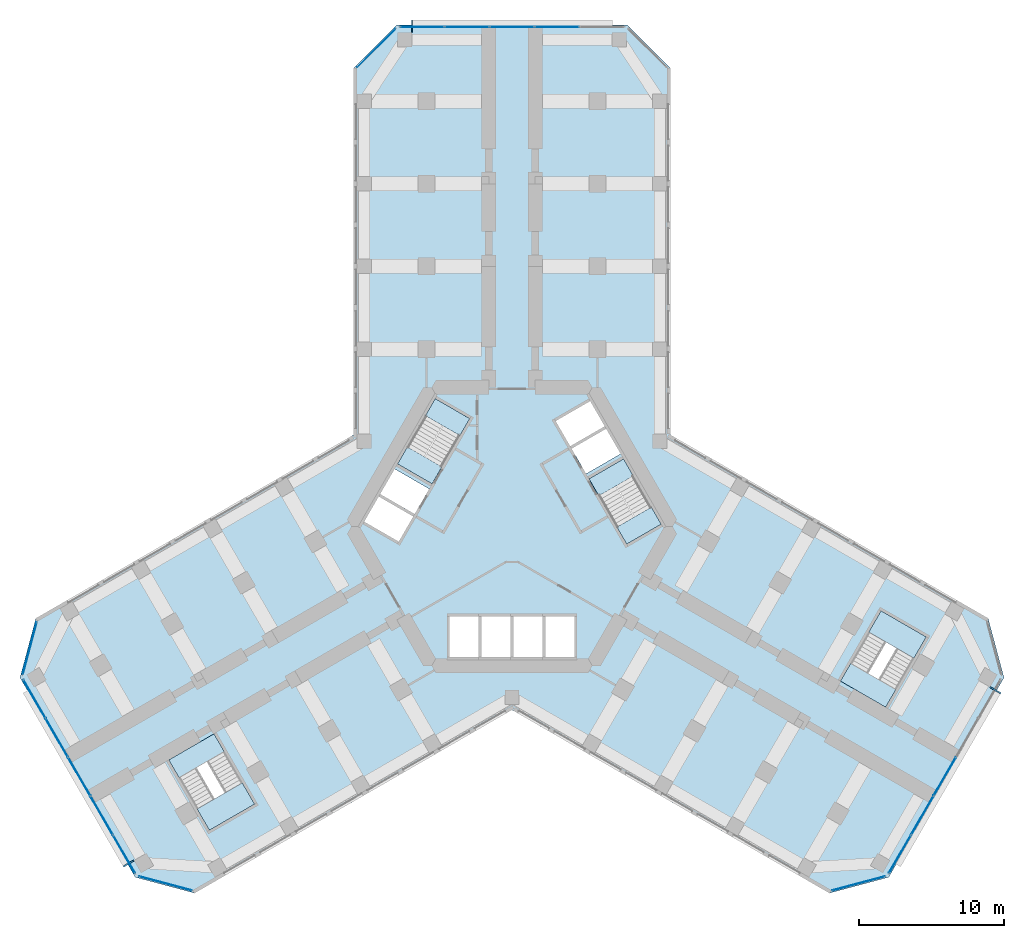
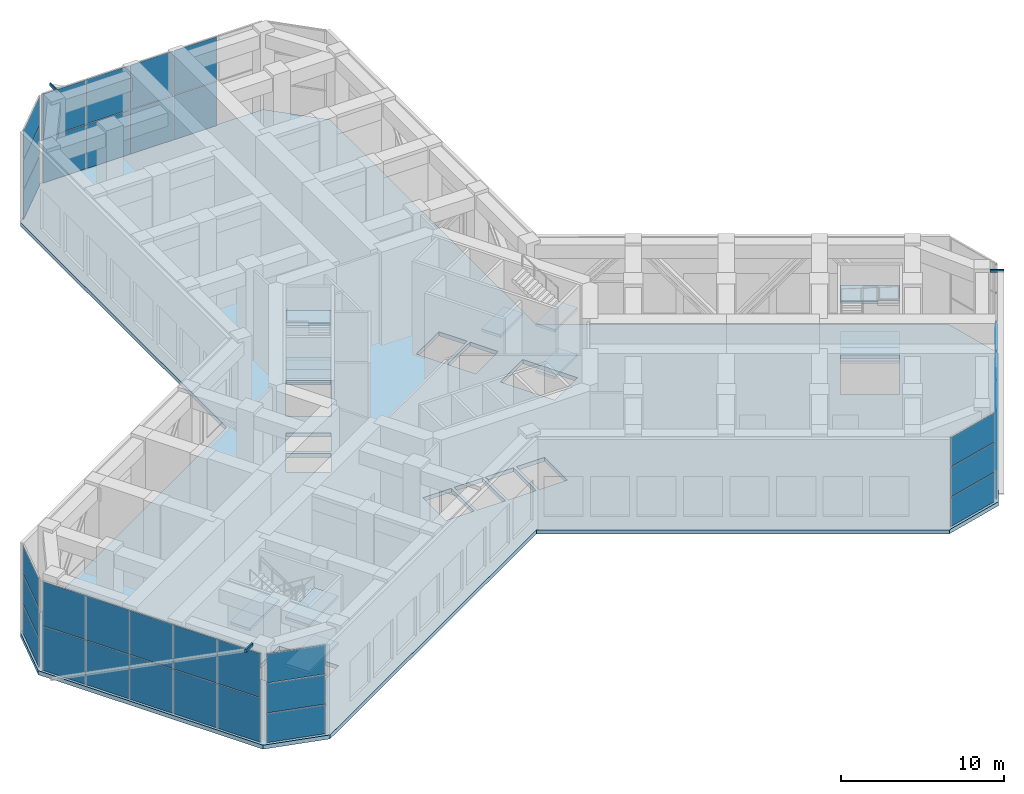
# One storey, part 9 of 17: 36 plates, 13 slabs, 3 members, 11 elements without a shape of their own.
"""IFC4 building model written with IfcOpenShell, lengths in metres."""

import ifcopenshell
import ifcopenshell.guid

model = None  # the IFC model being written
_history = None  # IfcOwnerHistory: only IFC2X3 demands one
_inside = {}  # id of a spatial element -> (the spatial element, [elements in it])
_under = {}  # id of a project, library or spatial element -> (it, [spatial elements below it])
_declared = {}  # id of a project -> (the project, [libraries it declares])
_typed = {}  # id of a type object -> (the type object, [elements of that type])
_made_of = {}  # id of a material, layer set ... -> (it, [elements and type objects made of it])


def new_model(schema):
    """Start an empty IFC model of exactly this schema.

    Asked for "IFC4X3", IfcOpenShell would pick the latest addendum, in which some entities
    have other attributes; the version numbers below select the first issue.
    IFC2X3 requires an IfcOwnerHistory on every rooted entity: one is made here for all.
    """
    global model, _history
    if schema == "IFC4X3":
        model = ifcopenshell.file(schema_version=(4, 3, 0, 0))
    else:
        model = ifcopenshell.file(schema=schema)
    _inside.clear()
    _under.clear()
    _declared.clear()
    _typed.clear()
    _made_of.clear()
    _history = None
    if model.schema == "IFC2X3":
        org = make("IfcOrganization", Name="unknown")
        user = make(
            "IfcPersonAndOrganization",
            ThePerson=make("IfcPerson", FamilyName="unknown"),
            TheOrganization=org,
        )
        app = make(
            "IfcApplication",
            ApplicationDeveloper=org,
            Version="unknown",
            ApplicationFullName="unknown",
            ApplicationIdentifier="unknown",
        )
        _history = make(
            "IfcOwnerHistory",
            OwningUser=user,
            OwningApplication=app,
            ChangeAction="ADDED",
            CreationDate=0,
        )
    return model


def make(cls, **values):
    """One entity of the class cls with the attributes given. An attribute that is None is left unset."""
    return model.create_entity(
        cls, **{name: value for name, value in values.items() if value is not None}
    )


def rooted(cls, **values):
    """An entity with a GlobalId (a new one), such as an element, a storey or a relation."""
    return make(cls, GlobalId=ifcopenshell.guid.new(), OwnerHistory=_history, **values)


def si_unit(unit_type, name, prefix=None):
    """IfcSIUnit, for example si_unit("LENGTHUNIT", "METRE", prefix="MILLI")."""
    return make("IfcSIUnit", UnitType=unit_type, Prefix=prefix, Name=name)


def assignment(units):
    """IfcUnitAssignment: the units of a project."""
    return None if units is None else make("IfcUnitAssignment", Units=units)


def point(xyz):
    """IfcCartesianPoint."""
    return None if xyz is None else make("IfcCartesianPoint", Coordinates=xyz)


def direction(xyz):
    """IfcDirection."""
    return None if xyz is None else make("IfcDirection", DirectionRatios=xyz)


def frame(location, z_axis=None, x_axis=None):
    """IfcAxis2Placement3D, a coordinate frame: its origin and axes. An axis left out is left unset."""
    return make(
        "IfcAxis2Placement3D",
        Location=point(location),
        Axis=direction(z_axis),
        RefDirection=direction(x_axis),
    )


def frame_2d(location, x_axis=None):
    """IfcAxis2Placement2D, a coordinate frame in the plane: its origin and x axis."""
    return make(
        "IfcAxis2Placement2D", Location=point(location), RefDirection=direction(x_axis)
    )


def origin():
    """The frame at (0, 0, 0) with its axes left unset."""
    return frame((0.0, 0.0, 0.0))


def origin_2d():
    """The frame at (0, 0) in the plane with its x axis left unset."""
    return frame_2d((0.0, 0.0))


def place(relative_to, where):
    """IfcLocalPlacement: puts the frame where relative to a parent placement (None: the world)."""
    return make(
        "IfcLocalPlacement", PlacementRelTo=relative_to, RelativePlacement=where
    )


def context(
    kind, dimensions, precision=None, world=None, true_north=None, identifier=None
):
    """IfcGeometricRepresentationContext, for example the 3D "Model" context."""
    return make(
        "IfcGeometricRepresentationContext",
        ContextIdentifier=identifier,
        ContextType=kind,
        CoordinateSpaceDimension=dimensions,
        Precision=precision,
        WorldCoordinateSystem=world,
        TrueNorth=true_north,
    )


def subcontext(parent, identifier, kind, view, scale=None):
    """IfcGeometricRepresentationSubContext, for example "Body" below "Model"."""
    return make(
        "IfcGeometricRepresentationSubContext",
        ContextIdentifier=identifier,
        ContextType=kind,
        ParentContext=parent,
        TargetScale=scale,
        TargetView=view,
    )


def project(units=None, contexts=None):
    """IfcProject with its units and contexts."""
    return rooted(
        "IfcProject",
        Name="project",
        RepresentationContexts=contexts,
        UnitsInContext=assignment(units),
    )


def spatial(cls, under=None, at=None, **own):
    """A site, building, storey or space (cls), placed at a placement, below another one or the project."""
    s = rooted(cls, ObjectPlacement=at, **own)
    if under is not None:
        _under.setdefault(under.id(), (under, []))[1].append(s)
    return s


def polyline(points):
    """IfcPolyline through the points."""
    return make("IfcPolyline", Points=[point(p) for p in points])


def profile(cls, at=None, kind="AREA", **sizes):
    """A parametric profile (cls). Its sizes go by their IFC names, for example OverallWidth=200.0."""
    return make(cls, ProfileType=kind, Position=at, **sizes)


def rectangle(**sizes):
    """IfcRectangleProfileDef."""
    return profile("IfcRectangleProfileDef", **sizes)


def hollow_rectangle(**sizes):
    """IfcRectangleHollowProfileDef."""
    return profile("IfcRectangleHollowProfileDef", **sizes)


def outline(outer, holes=None, kind="AREA"):
    """IfcArbitraryClosedProfileDef: a profile drawn as a closed curve; with holes, ...WithVoids."""
    if holes is None:
        return make("IfcArbitraryClosedProfileDef", ProfileType=kind, OuterCurve=outer)
    return make(
        "IfcArbitraryProfileDefWithVoids",
        ProfileType=kind,
        OuterCurve=outer,
        InnerCurves=holes,
    )


def extrude(swept, where, along, depth):
    """IfcExtrudedAreaSolid: the profile swept, set in the frame where, extruded along a direction by depth."""
    return make(
        "IfcExtrudedAreaSolid",
        SweptArea=swept,
        Position=where,
        ExtrudedDirection=direction(along),
        Depth=depth,
    )


def shape(context_of_items, identifier, shape_type, items):
    """IfcShapeRepresentation: the items that make up one representation, for example the "Body"."""
    return make(
        "IfcShapeRepresentation",
        ContextOfItems=context_of_items,
        RepresentationIdentifier=identifier,
        RepresentationType=shape_type,
        Items=items,
    )


def material(Name=None, Category=None):
    """IfcMaterial."""
    return make("IfcMaterial", Name=Name, Category=Category)


def layer(
    of_material, thickness, ventilated=None, Name=None, Category=None, Priority=None
):
    """IfcMaterialLayer: one layer of a wall or slab, of a material (None: an air gap)."""
    return make(
        "IfcMaterialLayer",
        Material=of_material,
        LayerThickness=thickness,
        IsVentilated=ventilated,
        Name=Name,
        Category=Category,
        Priority=Priority,
    )


def layer_set(layers, Name=None):
    """IfcMaterialLayerSet."""
    return make("IfcMaterialLayerSet", MaterialLayers=layers, LayerSetName=Name)


def material_profile(
    of_material, cross_section, Name=None, Category=None, Priority=None
):
    """IfcMaterialProfile: a cross section and its material."""
    return make(
        "IfcMaterialProfile",
        Name=Name,
        Material=of_material,
        Profile=cross_section,
        Priority=Priority,
        Category=Category,
    )


def profile_set(profiles, Name=None, composite=None):
    """IfcMaterialProfileSet."""
    return make(
        "IfcMaterialProfileSet",
        Name=Name,
        MaterialProfiles=profiles,
        CompositeProfile=composite,
    )


def made_of(thing, what):
    """Note that an element or type object is made of a material, layer set ...; save() writes the relation."""
    if what is not None:
        _made_of.setdefault(what.id(), (what, []))[1].append(thing)
    return thing


def type_object(cls, material=None, **own):
    """A type object (cls), such as IfcWallType, which elements share."""
    return made_of(rooted(cls, **own), material)


def element(
    cls,
    number,
    at=None,
    inside=None,
    cuts=None,
    type_object=None,
    material=None,
    context=None,
    identifier="Body",
    shape_type=None,
    held_by="IfcProductDefinitionShape",
    body=None,
    shapes=None,
    **own,
):
    """One element of the class cls, such as IfcWall. Its Tag is "e" and its number.

    at: its placement. inside: the storey or other place that contains it. cuts: it is an
    opening in that element (IfcRelVoidsElement). A single representation is given by context,
    identifier, shape_type and body (its items); several are given by shapes. held_by: the class
    of the entity that holds the representations. save() writes the other relations.
    """
    e = rooted(cls, Tag="e%d" % number, ObjectPlacement=at, **own)
    if body is not None:
        shapes = [shape(context, identifier, shape_type, body)]
    if shapes is not None:
        e.Representation = make(held_by, Representations=shapes)
    if inside is not None:
        _inside.setdefault(inside.id(), (inside, []))[1].append(e)
    if cuts is not None:
        rooted(
            "IfcRelVoidsElement", RelatingBuildingElement=cuts, RelatedOpeningElement=e
        )
    if type_object is not None:
        _typed.setdefault(type_object.id(), (type_object, []))[1].append(e)
    return made_of(e, material)


def aggregate(whole, parts):
    """IfcRelAggregates: a whole, such as a stair, and the parts it consists of."""
    return rooted("IfcRelAggregates", RelatingObject=whole, RelatedObjects=parts)


def save(model, path):
    """Write the relations noted so far, then the file.

    IfcRelAggregates (storeys below a building ...), IfcRelContainedInSpatialStructure (elements
    in a storey), IfcRelDefinesByType, IfcRelAssociatesMaterial and IfcRelDeclares: one each for
    every whole, place, type object, material and project.
    """
    for whole, parts in _under.values():
        aggregate(whole, parts)
    for where, things in _inside.values():
        rooted(
            "IfcRelContainedInSpatialStructure",
            RelatedElements=things,
            RelatingStructure=where,
        )
    for kind, things in _typed.values():
        rooted("IfcRelDefinesByType", RelatedObjects=things, RelatingType=kind)
    for what, things in _made_of.values():
        rooted("IfcRelAssociatesMaterial", RelatedObjects=things, RelatingMaterial=what)
    for by, libraries in _declared.values():
        rooted("IfcRelDeclares", RelatingContext=by, RelatedDefinitions=libraries)
    model.write(path)


model = new_model("IFC4")

# Units and contexts
model_context = context("Model", 3, precision=1e-05, world=origin(), true_north=direction((0.0, 1.0)))
body_context = subcontext(model_context, "Body", "Model", "MODEL_VIEW")
ifc_project = project(units=[si_unit("LENGTHUNIT", "METRE"), si_unit("AREAUNIT", "SQUARE_METRE"), si_unit("VOLUMEUNIT", "CUBIC_METRE"), si_unit("PLANEANGLEUNIT", "RADIAN"), si_unit("MASSUNIT", "GRAM", prefix="KILO")], contexts=[model_context])

# Site, building, storey
site_placement = place(None, origin())
site = spatial("IfcSite", under=ifc_project, at=site_placement, CompositionType="ELEMENT")
building_placement = place(site_placement, origin())
building = spatial("IfcBuilding", under=site, at=building_placement, Name="Kosmar Iwan School Tower", CompositionType="ELEMENT")
storey_placement = place(building_placement, frame((0.0, 0.0, 113.199951171875)))
storey = spatial("IfcBuildingStorey", under=building, at=storey_placement, Name="L28", CompositionType="ELEMENT", Elevation=113.199951171875)

# Members
ifc_material_1 = material(Name="Steel S355", Category="steel")
ifc_material_profile = material_profile(ifc_material_1, hollow_rectangle(XDim=0.10009765625, YDim=0.199951171875, WallThickness=0.008056640625, at=origin_2d()), Name="RHS 200x100x8")
ifc_profile_set = profile_set([ifc_material_profile], Name="Steel S355")
member_type = type_object("IfcMemberType", Name="Fin bracket RHS 200x100", PredefinedType="USERDEFINED", material=ifc_profile_set)
member_1_placement = place(storey_placement, frame((32.9814453125, -11.074462890625, 6.875), z_axis=(0.865989465428, -0.500062241894, 0.0), x_axis=(0.500062241894, 0.865989465428, 0.0)))
element("IfcMember", 1, at=member_1_placement, inside=storey, type_object=member_type, Name="Fin bracket L29", ObjectType="FIN BRACKET", PredefinedType="USERDEFINED", context=body_context, shape_type="SweptSolid", body=[
    extrude(hollow_rectangle(XDim=0.10009765625, YDim=0.199951171875, WallThickness=0.008056640625, at=origin_2d()), origin(), (0.0, 0.0, 1.0), 0.85009765625),
])
member_2_placement = place(storey_placement, frame((-6.89990234375, 34.10009765625, 6.875), z_axis=(0.0, 1.0, 0.0), x_axis=(-1.0, 0.0, 0.0)))
element("IfcMember", 2, at=member_2_placement, inside=storey, type_object=member_type, Name="Fin bracket L29", ObjectType="FIN BRACKET", PredefinedType="USERDEFINED", context=body_context, shape_type="SweptSolid", body=[
    extrude(hollow_rectangle(XDim=0.10009765625, YDim=0.199951171875, WallThickness=0.008056640625, at=origin_2d()), origin(), (0.0, 0.0, 1.0), 0.849853515625),
])
member_3_placement = place(storey_placement, frame((-26.08154296875, -23.025634765625, 6.875), z_axis=(-0.865989465428, -0.500062241894, 0.0), x_axis=(0.500062241894, -0.865989465428, 0.0)))
element("IfcMember", 3, at=member_3_placement, inside=storey, type_object=member_type, Name="Fin bracket L29", ObjectType="FIN BRACKET", PredefinedType="USERDEFINED", context=body_context, shape_type="SweptSolid", body=[
    extrude(hollow_rectangle(XDim=0.10009765625, YDim=0.199951171875, WallThickness=0.008056640625, at=origin_2d()), origin(), (0.0, 0.0, 1.0), 0.85009765625),
])

# Curtain wall, plates
ifc_material_2 = material(Name="Black aluminium louvres and glass", Category="aluminium")
curtain_wall_type_1 = type_object("IfcCurtainWallType", Name="Plant floor louvred curtain wall", PredefinedType="USERDEFINED", material=ifc_material_2)
curtain_wall_1_placement = place(storey_placement, origin())
curtain_wall_1 = element("IfcCurtainWall", 4, at=curtain_wall_1_placement, inside=storey, type_object=curtain_wall_type_1, Name="Curtain wall L28-F03", ObjectType="LOUVRED CURTAIN WALL", PredefinedType="USERDEFINED")
ifc_material_3 = material(Name="Black anodised aluminium louvre blades", Category="aluminium")
ifc_layer_1 = layer(ifc_material_3, 0.050048828125)
ifc_layer_set_1 = layer_set([ifc_layer_1], Name="Aluminium louvre panel")
plate_type_1 = type_object("IfcPlateType", Name="Aluminium louvre panel", PredefinedType="SHEET", material=ifc_layer_set_1)
plate_1_placement = place(storey_placement, frame((26.764404296875, -22.592529296875, 0.06005859375), z_axis=(0.0, 0.0, 1.0), x_axis=(0.499999997325, 0.866025405329, 0.0)))
plate_1 = element("IfcPlate", 5, at=plate_1_placement, type_object=plate_type_1, Name="CW4 panel 1.1", PredefinedType="CURTAIN_PANEL", context=body_context, shape_type="SweptSolid", body=[
    extrude(rectangle(XDim=3.00927734375, YDim=0.050048828125, at=origin_2d()), origin(), (0.0, 0.0, 1.0), 3.284912109375),
])
plate_2_placement = place(storey_placement, frame((26.764404296875, -22.592529296875, 3.4052734375), z_axis=(0.0, 0.0, 1.0), x_axis=(0.499999997325, 0.866025405329, 0.0)))
plate_2 = element("IfcPlate", 6, at=plate_2_placement, type_object=plate_type_1, Name="CW4 panel 1.2", PredefinedType="CURTAIN_PANEL", context=body_context, shape_type="SweptSolid", body=[
    extrude(rectangle(XDim=3.00927734375, YDim=0.050048828125, at=origin_2d()), origin(), (0.0, 0.0, 1.0), 3.284912109375),
])
plate_3_placement = place(storey_placement, frame((28.306640625, -19.921630859375, 0.06005859375), z_axis=(0.0, 0.0, 1.0), x_axis=(0.499999997325, 0.866025405329, 0.0)))
plate_3 = element("IfcPlate", 7, at=plate_3_placement, type_object=plate_type_1, Name="CW4 panel 2.1", PredefinedType="CURTAIN_PANEL", context=body_context, shape_type="SweptSolid", body=[
    extrude(rectangle(XDim=3.039306640625, YDim=0.050048828125, at=origin_2d()), origin(), (0.0, 0.0, 1.0), 3.284912109375),
])
plate_4_placement = place(storey_placement, frame((28.306640625, -19.921630859375, 3.4052734375), z_axis=(0.0, 0.0, 1.0), x_axis=(0.499999997325, 0.866025405329, 0.0)))
plate_4 = element("IfcPlate", 8, at=plate_4_placement, type_object=plate_type_1, Name="CW4 panel 2.2", PredefinedType="CURTAIN_PANEL", context=body_context, shape_type="SweptSolid", body=[
    extrude(rectangle(XDim=3.039306640625, YDim=0.050048828125, at=origin_2d()), origin(), (0.0, 0.0, 1.0), 3.284912109375),
])
plate_5_placement = place(storey_placement, frame((29.856201171875, -17.237548828125, 0.06005859375), z_axis=(0.0, 0.0, 1.0), x_axis=(0.499999997325, 0.866025405329, 0.0)))
plate_5 = element("IfcPlate", 9, at=plate_5_placement, type_object=plate_type_1, Name="CW4 panel 3.1", PredefinedType="CURTAIN_PANEL", context=body_context, shape_type="SweptSolid", body=[
    extrude(rectangle(XDim=3.039306640625, YDim=0.050048828125, at=origin_2d()), origin(), (0.0, 0.0, 1.0), 3.284912109375),
])
plate_6_placement = place(storey_placement, frame((29.856201171875, -17.237548828125, 3.4052734375), z_axis=(0.0, 0.0, 1.0), x_axis=(0.499999997325, 0.866025405329, 0.0)))
plate_6 = element("IfcPlate", 10, at=plate_6_placement, type_object=plate_type_1, Name="CW4 panel 3.2", PredefinedType="CURTAIN_PANEL", context=body_context, shape_type="SweptSolid", body=[
    extrude(rectangle(XDim=3.039306640625, YDim=0.050048828125, at=origin_2d()), origin(), (0.0, 0.0, 1.0), 3.284912109375),
])
aggregate(curtain_wall_1, [plate_1, plate_2, plate_3, plate_4, plate_5, plate_6])

curtain_wall_2_placement = place(storey_placement, origin())
curtain_wall_2 = element("IfcCurtainWall", 11, at=curtain_wall_2_placement, inside=storey, type_object=curtain_wall_type_1, Name="Curtain wall L28-F08", ObjectType="LOUVRED CURTAIN WALL", PredefinedType="USERDEFINED")
plate_7_placement = place(storey_placement, frame((3.099365234375, 34.47509765625, 0.06005859375), z_axis=(0.0, 0.0, 1.0), x_axis=(-1.0, 0.0, 0.0)))
plate_7 = element("IfcPlate", 12, at=plate_7_placement, type_object=plate_type_1, Name="CW4 panel 2.1", PredefinedType="CURTAIN_PANEL", context=body_context, shape_type="SweptSolid", body=[
    extrude(rectangle(XDim=3.039306640625, YDim=0.050048828125, at=origin_2d()), origin(), (0.0, 0.0, 1.0), 3.284912109375),
])
plate_8_placement = place(storey_placement, frame((3.099365234375, 34.47509765625, 3.4052734375), z_axis=(0.0, 0.0, 1.0), x_axis=(-1.0, 0.0, 0.0)))
plate_8 = element("IfcPlate", 13, at=plate_8_placement, type_object=plate_type_1, Name="CW4 panel 2.2", PredefinedType="CURTAIN_PANEL", context=body_context, shape_type="SweptSolid", body=[
    extrude(rectangle(XDim=3.039306640625, YDim=0.050048828125, at=origin_2d()), origin(), (0.0, 0.0, 1.0), 3.284912109375),
])
plate_9_placement = place(storey_placement, frame((0.0, 34.47509765625, 0.06005859375), z_axis=(0.0, 0.0, 1.0), x_axis=(-1.0, 0.0, 0.0)))
plate_9 = element("IfcPlate", 14, at=plate_9_placement, type_object=plate_type_1, Name="CW4 panel 3.1", PredefinedType="CURTAIN_PANEL", context=body_context, shape_type="SweptSolid", body=[
    extrude(rectangle(XDim=3.039306640625, YDim=0.050048828125, at=origin_2d()), origin(), (0.0, 0.0, 1.0), 3.284912109375),
])
plate_10_placement = place(storey_placement, frame((0.0, 34.47509765625, 3.4052734375), z_axis=(0.0, 0.0, 1.0), x_axis=(-1.0, 0.0, 0.0)))
plate_10 = element("IfcPlate", 15, at=plate_10_placement, type_object=plate_type_1, Name="CW4 panel 3.2", PredefinedType="CURTAIN_PANEL", context=body_context, shape_type="SweptSolid", body=[
    extrude(rectangle(XDim=3.039306640625, YDim=0.050048828125, at=origin_2d()), origin(), (0.0, 0.0, 1.0), 3.284912109375),
])
plate_11_placement = place(storey_placement, frame((-3.099365234375, 34.47509765625, 0.06005859375), z_axis=(0.0, 0.0, 1.0), x_axis=(-1.0, 0.0, 0.0)))
plate_11 = element("IfcPlate", 16, at=plate_11_placement, type_object=plate_type_1, Name="CW4 panel 4.1", PredefinedType="CURTAIN_PANEL", context=body_context, shape_type="SweptSolid", body=[
    extrude(rectangle(XDim=3.039306640625, YDim=0.050048828125, at=origin_2d()), origin(), (0.0, 0.0, 1.0), 3.284912109375),
])
plate_12_placement = place(storey_placement, frame((-3.099365234375, 34.47509765625, 3.4052734375), z_axis=(0.0, 0.0, 1.0), x_axis=(-1.0, 0.0, 0.0)))
plate_12 = element("IfcPlate", 17, at=plate_12_placement, type_object=plate_type_1, Name="CW4 panel 4.2", PredefinedType="CURTAIN_PANEL", context=body_context, shape_type="SweptSolid", body=[
    extrude(rectangle(XDim=3.039306640625, YDim=0.050048828125, at=origin_2d()), origin(), (0.0, 0.0, 1.0), 3.284912109375),
])
plate_13_placement = place(storey_placement, frame((-6.18359375, 34.47509765625, 0.06005859375), z_axis=(0.0, 0.0, 1.0), x_axis=(-1.0, 0.0, 0.0)))
plate_13 = element("IfcPlate", 18, at=plate_13_placement, type_object=plate_type_1, Name="CW4 panel 5.1", PredefinedType="CURTAIN_PANEL", context=body_context, shape_type="SweptSolid", body=[
    extrude(rectangle(XDim=3.00927734375, YDim=0.050048828125, at=origin_2d()), origin(), (0.0, 0.0, 1.0), 3.284912109375),
])
plate_14_placement = place(storey_placement, frame((-6.18359375, 34.47509765625, 3.4052734375), z_axis=(0.0, 0.0, 1.0), x_axis=(-1.0, 0.0, 0.0)))
plate_14 = element("IfcPlate", 19, at=plate_14_placement, type_object=plate_type_1, Name="CW4 panel 5.2", PredefinedType="CURTAIN_PANEL", context=body_context, shape_type="SweptSolid", body=[
    extrude(rectangle(XDim=3.00927734375, YDim=0.050048828125, at=origin_2d()), origin(), (0.0, 0.0, 1.0), 3.284912109375),
])
aggregate(curtain_wall_2, [plate_7, plate_8, plate_9, plate_10, plate_11, plate_12, plate_13, plate_14])

curtain_wall_3_placement = place(storey_placement, origin())
curtain_wall_3 = element("IfcCurtainWall", 20, at=curtain_wall_3_placement, inside=storey, type_object=curtain_wall_type_1, Name="Curtain wall L28-F13", ObjectType="LOUVRED CURTAIN WALL", PredefinedType="USERDEFINED")
plate_15_placement = place(storey_placement, frame((-32.947998046875, -11.88232421875, 0.06005859375), z_axis=(0.0, 0.0, 1.0), x_axis=(0.499999997325, -0.866025405329, 0.0)))
plate_15 = element("IfcPlate", 21, at=plate_15_placement, type_object=plate_type_1, Name="CW4 panel 1.1", PredefinedType="CURTAIN_PANEL", context=body_context, shape_type="SweptSolid", body=[
    extrude(rectangle(XDim=3.00927734375, YDim=0.050048828125, at=origin_2d()), origin(), (0.0, 0.0, 1.0), 3.284912109375),
])
plate_16_placement = place(storey_placement, frame((-32.947998046875, -11.88232421875, 3.4052734375), z_axis=(0.0, 0.0, 1.0), x_axis=(0.499999997325, -0.866025405329, 0.0)))
plate_16 = element("IfcPlate", 22, at=plate_16_placement, type_object=plate_type_1, Name="CW4 panel 1.2", PredefinedType="CURTAIN_PANEL", context=body_context, shape_type="SweptSolid", body=[
    extrude(rectangle(XDim=3.00927734375, YDim=0.050048828125, at=origin_2d()), origin(), (0.0, 0.0, 1.0), 3.284912109375),
])
plate_17_placement = place(storey_placement, frame((-31.40576171875, -14.553466796875, 0.06005859375), z_axis=(0.0, 0.0, 1.0), x_axis=(0.499999997325, -0.866025405329, 0.0)))
plate_17 = element("IfcPlate", 23, at=plate_17_placement, type_object=plate_type_1, Name="CW4 panel 2.1", PredefinedType="CURTAIN_PANEL", context=body_context, shape_type="SweptSolid", body=[
    extrude(rectangle(XDim=3.039306640625, YDim=0.050048828125, at=origin_2d()), origin(), (0.0, 0.0, 1.0), 3.284912109375),
])
plate_18_placement = place(storey_placement, frame((-31.40576171875, -14.553466796875, 3.4052734375), z_axis=(0.0, 0.0, 1.0), x_axis=(0.499999997325, -0.866025405329, 0.0)))
plate_18 = element("IfcPlate", 24, at=plate_18_placement, type_object=plate_type_1, Name="CW4 panel 2.2", PredefinedType="CURTAIN_PANEL", context=body_context, shape_type="SweptSolid", body=[
    extrude(rectangle(XDim=3.039306640625, YDim=0.050048828125, at=origin_2d()), origin(), (0.0, 0.0, 1.0), 3.284912109375),
])
plate_19_placement = place(storey_placement, frame((-29.856201171875, -17.237548828125, 0.06005859375), z_axis=(0.0, 0.0, 1.0), x_axis=(0.499999997325, -0.866025405329, 0.0)))
plate_19 = element("IfcPlate", 25, at=plate_19_placement, type_object=plate_type_1, Name="CW4 panel 3.1", PredefinedType="CURTAIN_PANEL", context=body_context, shape_type="SweptSolid", body=[
    extrude(rectangle(XDim=3.039306640625, YDim=0.050048828125, at=origin_2d()), origin(), (0.0, 0.0, 1.0), 3.284912109375),
])
plate_20_placement = place(storey_placement, frame((-29.856201171875, -17.237548828125, 3.4052734375), z_axis=(0.0, 0.0, 1.0), x_axis=(0.499999997325, -0.866025405329, 0.0)))
plate_20 = element("IfcPlate", 26, at=plate_20_placement, type_object=plate_type_1, Name="CW4 panel 3.2", PredefinedType="CURTAIN_PANEL", context=body_context, shape_type="SweptSolid", body=[
    extrude(rectangle(XDim=3.039306640625, YDim=0.050048828125, at=origin_2d()), origin(), (0.0, 0.0, 1.0), 3.284912109375),
])
plate_21_placement = place(storey_placement, frame((-28.306640625, -19.921630859375, 0.06005859375), z_axis=(0.0, 0.0, 1.0), x_axis=(0.499999997325, -0.866025405329, 0.0)))
plate_21 = element("IfcPlate", 27, at=plate_21_placement, type_object=plate_type_1, Name="CW4 panel 4.1", PredefinedType="CURTAIN_PANEL", context=body_context, shape_type="SweptSolid", body=[
    extrude(rectangle(XDim=3.039306640625, YDim=0.050048828125, at=origin_2d()), origin(), (0.0, 0.0, 1.0), 3.284912109375),
])
plate_22_placement = place(storey_placement, frame((-28.306640625, -19.921630859375, 3.4052734375), z_axis=(0.0, 0.0, 1.0), x_axis=(0.499999997325, -0.866025405329, 0.0)))
plate_22 = element("IfcPlate", 28, at=plate_22_placement, type_object=plate_type_1, Name="CW4 panel 4.2", PredefinedType="CURTAIN_PANEL", context=body_context, shape_type="SweptSolid", body=[
    extrude(rectangle(XDim=3.039306640625, YDim=0.050048828125, at=origin_2d()), origin(), (0.0, 0.0, 1.0), 3.284912109375),
])
plate_23_placement = place(storey_placement, frame((-26.764404296875, -22.592529296875, 0.06005859375), z_axis=(0.0, 0.0, 1.0), x_axis=(0.499999997325, -0.866025405329, 0.0)))
plate_23 = element("IfcPlate", 29, at=plate_23_placement, type_object=plate_type_1, Name="CW4 panel 5.1", PredefinedType="CURTAIN_PANEL", context=body_context, shape_type="SweptSolid", body=[
    extrude(rectangle(XDim=3.00927734375, YDim=0.050048828125, at=origin_2d()), origin(), (0.0, 0.0, 1.0), 3.284912109375),
])
plate_24_placement = place(storey_placement, frame((-26.764404296875, -22.592529296875, 3.4052734375), z_axis=(0.0, 0.0, 1.0), x_axis=(0.499999997325, -0.866025405329, 0.0)))
plate_24 = element("IfcPlate", 30, at=plate_24_placement, type_object=plate_type_1, Name="CW4 panel 5.2", PredefinedType="CURTAIN_PANEL", context=body_context, shape_type="SweptSolid", body=[
    extrude(rectangle(XDim=3.00927734375, YDim=0.050048828125, at=origin_2d()), origin(), (0.0, 0.0, 1.0), 3.284912109375),
])
aggregate(curtain_wall_3, [plate_15, plate_16, plate_17, plate_18, plate_19, plate_20, plate_21, plate_22, plate_23, plate_24])

ifc_material_4 = material(Name="Dark glass in black aluminium frame", Category="aluminium")
curtain_wall_type_2 = type_object("IfcCurtainWallType", Name="Chamfer curtain wall dark glass", PredefinedType="USERDEFINED", material=ifc_material_4)
curtain_wall_4_placement = place(storey_placement, origin())
curtain_wall_4 = element("IfcCurtainWall", 31, at=curtain_wall_4_placement, inside=storey, type_object=curtain_wall_type_2, Name="Curtain wall L28-F02", ObjectType="FACETED CURTAIN WALL", PredefinedType="USERDEFINED")
ifc_material_5 = material(Name="Dark glass", Category="glass")
ifc_layer_2 = layer(ifc_material_5, 0.028076171875)
ifc_layer_set_2 = layer_set([ifc_layer_2], Name="Dark glass panel 28")
plate_type_2 = type_object("IfcPlateType", Name="Dark glass panel 28", PredefinedType="CURTAIN_PANEL", material=ifc_layer_set_2)
plate_25_placement = place(storey_placement, frame((23.908203125, -24.61328125, 0.06005859375), z_axis=(0.0, 0.0, 1.0), x_axis=(0.965925875495, 0.258818861462, 0.0)))
plate_25 = element("IfcPlate", 32, at=plate_25_placement, type_object=plate_type_2, Name="CW2 panel 1.1", PredefinedType="CURTAIN_PANEL", context=body_context, shape_type="SweptSolid", body=[
    extrude(rectangle(XDim=3.718994140625, YDim=0.028076171875, at=origin_2d()), origin(), (0.0, 0.0, 1.0), 2.159912109375),
])
plate_26_placement = place(storey_placement, frame((23.908203125, -24.61328125, 2.280029296875), z_axis=(0.0, 0.0, 1.0), x_axis=(0.965925875495, 0.258818861462, 0.0)))
plate_26 = element("IfcPlate", 33, at=plate_26_placement, type_object=plate_type_2, Name="CW2 panel 1.2", PredefinedType="CURTAIN_PANEL", context=body_context, shape_type="SweptSolid", body=[
    extrude(rectangle(XDim=3.718994140625, YDim=0.028076171875, at=origin_2d()), origin(), (0.0, 0.0, 1.0), 2.18994140625),
])
plate_27_placement = place(storey_placement, frame((23.908203125, -24.61328125, 4.5302734375), z_axis=(0.0, 0.0, 1.0), x_axis=(0.965925875495, 0.258818861462, 0.0)))
plate_27 = element("IfcPlate", 34, at=plate_27_placement, type_object=plate_type_2, Name="CW2 panel 1.3", PredefinedType="CURTAIN_PANEL", context=body_context, shape_type="SweptSolid", body=[
    extrude(rectangle(XDim=3.718994140625, YDim=0.028076171875, at=origin_2d()), origin(), (0.0, 0.0, 1.0), 2.159912109375),
])
aggregate(curtain_wall_4, [plate_25, plate_26, plate_27])

curtain_wall_5_placement = place(storey_placement, origin())
curtain_wall_5 = element("IfcCurtainWall", 35, at=curtain_wall_5_placement, inside=storey, type_object=curtain_wall_type_2, Name="Curtain wall L28-F09", ObjectType="FACETED CURTAIN WALL", PredefinedType="USERDEFINED")
plate_28_placement = place(storey_placement, frame((-9.361572265625, 33.01171875, 0.06005859375), z_axis=(0.0, 0.0, 1.0), x_axis=(-0.707106781187, -0.707106781187, 0.0)))
plate_28 = element("IfcPlate", 36, at=plate_28_placement, type_object=plate_type_2, Name="CW2 panel 1.1", PredefinedType="CURTAIN_PANEL", context=body_context, shape_type="SweptSolid", body=[
    extrude(rectangle(XDim=3.718994140625, YDim=0.028076171875, at=origin_2d()), origin(), (0.0, 0.0, 1.0), 2.159912109375),
])
plate_29_placement = place(storey_placement, frame((-9.361572265625, 33.01171875, 2.280029296875), z_axis=(0.0, 0.0, 1.0), x_axis=(-0.707106781187, -0.707106781187, 0.0)))
plate_29 = element("IfcPlate", 37, at=plate_29_placement, type_object=plate_type_2, Name="CW2 panel 1.2", PredefinedType="CURTAIN_PANEL", context=body_context, shape_type="SweptSolid", body=[
    extrude(rectangle(XDim=3.718994140625, YDim=0.028076171875, at=origin_2d()), origin(), (0.0, 0.0, 1.0), 2.18994140625),
])
plate_30_placement = place(storey_placement, frame((-9.361572265625, 33.01171875, 4.5302734375), z_axis=(0.0, 0.0, 1.0), x_axis=(-0.707106781187, -0.707106781187, 0.0)))
plate_30 = element("IfcPlate", 38, at=plate_30_placement, type_object=plate_type_2, Name="CW2 panel 1.3", PredefinedType="CURTAIN_PANEL", context=body_context, shape_type="SweptSolid", body=[
    extrude(rectangle(XDim=3.718994140625, YDim=0.028076171875, at=origin_2d()), origin(), (0.0, 0.0, 1.0), 2.159912109375),
])
aggregate(curtain_wall_5, [plate_28, plate_29, plate_30])

curtain_wall_6_placement = place(storey_placement, origin())
curtain_wall_6 = element("IfcCurtainWall", 39, at=curtain_wall_6_placement, inside=storey, type_object=curtain_wall_type_2, Name="Curtain wall L28-F12", ObjectType="FACETED CURTAIN WALL", PredefinedType="USERDEFINED")
plate_31_placement = place(storey_placement, frame((-33.269775390625, -8.3984375, 0.06005859375), z_axis=(0.0, 0.0, 1.0), x_axis=(-0.258818861462, -0.965925875495, 0.0)))
plate_31 = element("IfcPlate", 40, at=plate_31_placement, type_object=plate_type_2, Name="CW2 panel 1.1", PredefinedType="CURTAIN_PANEL", context=body_context, shape_type="SweptSolid", body=[
    extrude(rectangle(XDim=3.718994140625, YDim=0.028076171875, at=origin_2d()), origin(), (0.0, 0.0, 1.0), 2.159912109375),
])
plate_32_placement = place(storey_placement, frame((-33.269775390625, -8.3984375, 2.280029296875), z_axis=(0.0, 0.0, 1.0), x_axis=(-0.258818861462, -0.965925875495, 0.0)))
plate_32 = element("IfcPlate", 41, at=plate_32_placement, type_object=plate_type_2, Name="CW2 panel 1.2", PredefinedType="CURTAIN_PANEL", context=body_context, shape_type="SweptSolid", body=[
    extrude(rectangle(XDim=3.718994140625, YDim=0.028076171875, at=origin_2d()), origin(), (0.0, 0.0, 1.0), 2.18994140625),
])
plate_33_placement = place(storey_placement, frame((-33.269775390625, -8.3984375, 4.5302734375), z_axis=(0.0, 0.0, 1.0), x_axis=(-0.258818861462, -0.965925875495, 0.0)))
plate_33 = element("IfcPlate", 42, at=plate_33_placement, type_object=plate_type_2, Name="CW2 panel 1.3", PredefinedType="CURTAIN_PANEL", context=body_context, shape_type="SweptSolid", body=[
    extrude(rectangle(XDim=3.718994140625, YDim=0.028076171875, at=origin_2d()), origin(), (0.0, 0.0, 1.0), 2.159912109375),
])
aggregate(curtain_wall_6, [plate_31, plate_32, plate_33])

curtain_wall_7_placement = place(storey_placement, origin())
curtain_wall_7 = element("IfcCurtainWall", 43, at=curtain_wall_7_placement, inside=storey, type_object=curtain_wall_type_2, Name="Curtain wall L28-F14", ObjectType="FACETED CURTAIN WALL", PredefinedType="USERDEFINED")
plate_34_placement = place(storey_placement, frame((-23.908203125, -24.61328125, 0.06005859375), z_axis=(0.0, 0.0, 1.0), x_axis=(0.965925875495, -0.258818861462, 0.0)))
plate_34 = element("IfcPlate", 44, at=plate_34_placement, type_object=plate_type_2, Name="CW2 panel 1.1", PredefinedType="CURTAIN_PANEL", context=body_context, shape_type="SweptSolid", body=[
    extrude(rectangle(XDim=3.718994140625, YDim=0.028076171875, at=origin_2d()), origin(), (0.0, 0.0, 1.0), 2.159912109375),
])
plate_35_placement = place(storey_placement, frame((-23.908203125, -24.61328125, 2.280029296875), z_axis=(0.0, 0.0, 1.0), x_axis=(0.965925875495, -0.258818861462, 0.0)))
plate_35 = element("IfcPlate", 45, at=plate_35_placement, type_object=plate_type_2, Name="CW2 panel 1.2", PredefinedType="CURTAIN_PANEL", context=body_context, shape_type="SweptSolid", body=[
    extrude(rectangle(XDim=3.718994140625, YDim=0.028076171875, at=origin_2d()), origin(), (0.0, 0.0, 1.0), 2.18994140625),
])
plate_36_placement = place(storey_placement, frame((-23.908203125, -24.61328125, 4.5302734375), z_axis=(0.0, 0.0, 1.0), x_axis=(0.965925875495, -0.258818861462, 0.0)))
plate_36 = element("IfcPlate", 46, at=plate_36_placement, type_object=plate_type_2, Name="CW2 panel 1.3", PredefinedType="CURTAIN_PANEL", context=body_context, shape_type="SweptSolid", body=[
    extrude(rectangle(XDim=3.718994140625, YDim=0.028076171875, at=origin_2d()), origin(), (0.0, 0.0, 1.0), 2.159912109375),
])
aggregate(curtain_wall_7, [plate_34, plate_35, plate_36])

# Stair, slabs
ifc_material_6 = material(Name="Concrete C35/45", Category="concrete")
stair_type_1 = type_object("IfcStairType", Name="Escape stair 3600", PredefinedType="HALF_TURN_STAIR", material=ifc_material_6)
stair_1_placement = place(storey_placement, origin())
stair_1 = element("IfcStair", 47, at=stair_1_placement, inside=storey, type_object=stair_type_1, Name="Stair WS2 L28", PredefinedType="HALF_TURN_STAIR")
ifc_material_7 = material(Name="Concrete C35/45", Category="concrete")
ifc_layer_3 = layer(ifc_material_7, 0.199951171875)
ifc_layer_set_3 = layer_set([ifc_layer_3], Name="Escape stair landing 200")
slab_type_1 = type_object("IfcSlabType", Name="Escape stair landing 200", PredefinedType="LANDING", material=ifc_layer_set_3)
slab_1_placement = place(storey_placement, frame((0.0, 0.0, 1.550048828125)))
slab_1 = element("IfcSlab", 48, at=slab_1_placement, type_object=slab_type_1, Name="WS2 landing 1", PredefinedType="LANDING", context=body_context, shape_type="SweptSolid", body=[
    extrude(outline(polyline([(-18.607421875, -17.671142578125), (-21.72509765625, -19.47119140625), (-20.875, -20.943359375), (-17.75732421875, -19.143310546875), (-18.607421875, -17.671142578125)])), origin(), (0.0, 0.0, 1.0), 0.199951171875),
])
slab_2_placement = place(storey_placement, frame((0.0, 0.0, 3.300048828125)))
slab_2 = element("IfcSlab", 49, at=slab_2_placement, type_object=slab_type_1, Name="WS2 landing 2", PredefinedType="LANDING", context=body_context, shape_type="SweptSolid", body=[
    extrude(outline(polyline([(-20.557373046875, -14.293701171875), (-23.675048828125, -16.09375), (-22.965087890625, -17.323486328125), (-19.847412109375, -15.5234375), (-20.557373046875, -14.293701171875)])), origin(), (0.0, 0.0, 1.0), 0.199951171875),
])
slab_3_placement = place(storey_placement, frame((0.0, 0.0, 5.050048828125)))
slab_3 = element("IfcSlab", 50, at=slab_3_placement, type_object=slab_type_1, Name="WS2 landing 3", PredefinedType="LANDING", context=body_context, shape_type="SweptSolid", body=[
    extrude(outline(polyline([(-18.607421875, -17.671142578125), (-21.72509765625, -19.47119140625), (-20.875, -20.943359375), (-17.75732421875, -19.143310546875), (-18.607421875, -17.671142578125)])), origin(), (0.0, 0.0, 1.0), 0.199951171875),
])
aggregate(stair_1, [slab_1, slab_2, slab_3])

stair_2_placement = place(storey_placement, origin())
stair_2 = element("IfcStair", 51, at=stair_2_placement, inside=storey, type_object=stair_type_1, Name="Stair WS3 L28", PredefinedType="HALF_TURN_STAIR")
slab_4_placement = place(storey_placement, frame((0.0, 0.0, 1.550048828125)))
slab_4 = element("IfcSlab", 52, at=slab_4_placement, type_object=slab_type_1, Name="WS3 landing 1", PredefinedType="LANDING", context=body_context, shape_type="SweptSolid", body=[
    extrude(outline(polyline([(24.607421875, -7.27880859375), (27.72509765625, -9.078857421875), (28.574951171875, -7.606689453125), (25.457275390625, -5.806640625), (24.607421875, -7.27880859375)])), origin(), (0.0, 0.0, 1.0), 0.199951171875),
])
slab_5_placement = place(storey_placement, frame((0.0, 0.0, 3.300048828125)))
slab_5 = element("IfcSlab", 53, at=slab_5_placement, type_object=slab_type_1, Name="WS3 landing 2", PredefinedType="LANDING", context=body_context, shape_type="SweptSolid", body=[
    extrude(outline(polyline([(22.6572265625, -10.65625), (25.775146484375, -12.456298828125), (26.485107421875, -11.2265625), (23.367431640625, -9.426513671875), (22.6572265625, -10.65625)])), origin(), (0.0, 0.0, 1.0), 0.199951171875),
])
slab_6_placement = place(storey_placement, frame((0.0, 0.0, 5.050048828125)))
slab_6 = element("IfcSlab", 54, at=slab_6_placement, type_object=slab_type_1, Name="WS3 landing 3", PredefinedType="LANDING", context=body_context, shape_type="SweptSolid", body=[
    extrude(outline(polyline([(24.607421875, -7.27880859375), (27.72509765625, -9.078857421875), (28.574951171875, -7.606689453125), (25.457275390625, -5.806640625), (24.607421875, -7.27880859375)])), origin(), (0.0, 0.0, 1.0), 0.199951171875),
])
aggregate(stair_2, [slab_4, slab_5, slab_6])

# Slab
ifc_material_8 = material(Name="Concrete C35/45", Category="concrete")
ifc_layer_4 = layer(ifc_material_8, 0.300048828125)
ifc_layer_set_4 = layer_set([ifc_layer_4], Name="Plant floor slab 300")
slab_type_2 = type_object("IfcSlabType", Name="Plant floor slab 300", PredefinedType="FLOOR", material=ifc_layer_set_4)
slab_7_placement = place(storey_placement, frame((0.0, 0.0, -0.300048828125)))
element("IfcSlab", 55, at=slab_7_placement, inside=storey, type_object=slab_type_2, Name="L28 floor slab", PredefinedType="FLOOR", context=body_context, shape_type="SweptSolid", body=[
    extrude(outline(polyline([(-21.891357421875, -25.282958984375), (0.0, -12.64404296875), (21.891357421875, -25.282958984375), (25.989501953125, -24.184814453125), (33.939453125, -10.4150390625), (32.84130859375, -6.317138671875), (10.949951171875, 6.322021484375), (10.949951171875, 31.60009765625), (7.949951171875, 34.60009765625), (-7.949951171875, 34.60009765625), (-10.949951171875, 31.60009765625), (-10.949951171875, 6.322021484375), (-32.84130859375, -6.317138671875), (-33.939453125, -10.4150390625), (-25.989501953125, -24.184814453125), (-21.891357421875, -25.282958984375)]), holes=[polyline([(7.91259765625, -1.205078125), (10.294189453125, 0.169921875), (8.3642578125, 3.5126953125), (5.982666015625, 2.1376953125), (7.91259765625, -1.205078125)]), polyline([(-2.91259765625, 7.455078125), (-5.294189453125, 8.830078125), (-7.22412109375, 5.4873046875), (-4.8427734375, 4.1123046875), (-2.91259765625, 7.455078125)]), polyline([(-5.712646484375, 2.60546875), (-8.09423828125, 3.98046875), (-9.09423828125, 2.248291015625), (-6.712646484375, 0.873291015625), (-5.712646484375, 2.60546875)]), polyline([(-6.812744140625, 0.7001953125), (-9.1943359375, 2.0751953125), (-10.1943359375, 0.343017578125), (-7.812744140625, -1.031982421875), (-6.812744140625, 0.7001953125)]), polyline([(5.112548828125, 3.64453125), (7.494140625, 5.01953125), (6.494140625, 6.751708984375), (4.112548828125, 5.376708984375), (5.112548828125, 3.64453125)]), polyline([(4.0126953125, 5.5498046875), (6.394287109375, 6.9248046875), (5.394287109375, 8.656982421875), (3.0126953125, 7.281982421875), (4.0126953125, 5.5498046875)]), polyline([(-4.300048828125, -6.199951171875), (-4.300048828125, -9.0), (-2.300048828125, -9.0), (-2.300048828125, -6.199951171875), (-4.300048828125, -6.199951171875)]), polyline([(-2.10009765625, -6.199951171875), (-2.10009765625, -9.0), (-0.10009765625, -9.0), (-0.10009765625, -6.199951171875), (-2.10009765625, -6.199951171875)]), polyline([(0.10009765625, -6.199951171875), (0.10009765625, -9.0), (2.10009765625, -9.0), (2.10009765625, -6.199951171875), (0.10009765625, -6.199951171875)]), polyline([(2.300048828125, -6.199951171875), (2.300048828125, -9.0), (4.300048828125, -9.0), (4.300048828125, -6.199951171875), (2.300048828125, -6.199951171875)]), polyline([(-19.847412109375, -15.5234375), (-22.965087890625, -17.323486328125), (-20.875, -20.943359375), (-17.75732421875, -19.143310546875), (-19.847412109375, -15.5234375)]), polyline([(23.367431640625, -9.426513671875), (26.485107421875, -11.2265625), (28.574951171875, -7.606689453125), (25.457275390625, -5.806640625), (23.367431640625, -9.426513671875)])]), origin(), (0.0, 0.0, 1.0), 0.300048828125),
])

# Stair, slabs
ifc_material_9 = material(Name="Concrete C35/45", Category="concrete")
stair_type_2 = type_object("IfcStairType", Name="Core stair 2750", PredefinedType="HALF_TURN_STAIR", material=ifc_material_9)
stair_3_placement = place(storey_placement, origin())
stair_3 = element("IfcStair", 56, at=stair_3_placement, inside=storey, type_object=stair_type_2, Name="Stair ST2 L28", PredefinedType="HALF_TURN_STAIR")
ifc_material_10 = material(Name="Concrete C35/45", Category="concrete")
ifc_layer_5 = layer(ifc_material_10, 0.199951171875)
ifc_layer_set_5 = layer_set([ifc_layer_5], Name="Stair landing 200")
slab_type_3 = type_object("IfcSlabType", Name="Stair landing 200", PredefinedType="LANDING", material=ifc_layer_set_5)
slab_8_placement = place(storey_placement, frame((0.0, 0.0, 1.550048828125)))
slab_8 = element("IfcSlab", 57, at=slab_8_placement, type_object=slab_type_3, Name="ST2 landing 1", PredefinedType="LANDING", context=body_context, shape_type="SweptSolid", body=[
    extrude(outline(polyline([(-2.91259765625, 7.455078125), (-5.294189453125, 8.830078125), (-5.97412109375, 7.65234375), (-3.5927734375, 6.27734375), (-2.91259765625, 7.455078125)])), origin(), (0.0, 0.0, 1.0), 0.199951171875),
])
slab_9_placement = place(storey_placement, frame((0.0, 0.0, 3.300048828125)))
slab_9 = element("IfcSlab", 58, at=slab_9_placement, type_object=slab_type_3, Name="ST2 landing 2", PredefinedType="LANDING", context=body_context, shape_type="SweptSolid", body=[
    extrude(outline(polyline([(-4.832763671875, 4.129638671875), (-7.214111328125, 5.504638671875), (-7.894287109375, 4.326904296875), (-5.5126953125, 2.951904296875), (-4.832763671875, 4.129638671875)])), origin(), (0.0, 0.0, 1.0), 0.199951171875),
])
slab_10_placement = place(storey_placement, frame((0.0, 0.0, 5.050048828125)))
slab_10 = element("IfcSlab", 59, at=slab_10_placement, type_object=slab_type_3, Name="ST2 landing 3", PredefinedType="LANDING", context=body_context, shape_type="SweptSolid", body=[
    extrude(outline(polyline([(-2.91259765625, 7.455078125), (-5.294189453125, 8.830078125), (-5.97412109375, 7.65234375), (-3.5927734375, 6.27734375), (-2.91259765625, 7.455078125)])), origin(), (0.0, 0.0, 1.0), 0.199951171875),
])
aggregate(stair_3, [slab_8, slab_9, slab_10])

stair_4_placement = place(storey_placement, origin())
stair_4 = element("IfcStair", 60, at=stair_4_placement, inside=storey, type_object=stair_type_2, Name="Stair ST1 L28", PredefinedType="HALF_TURN_STAIR")
slab_11_placement = place(storey_placement, frame((0.0, 0.0, 1.550048828125)))
slab_11 = element("IfcSlab", 61, at=slab_11_placement, type_object=slab_type_3, Name="ST1 landing 1", PredefinedType="LANDING", context=body_context, shape_type="SweptSolid", body=[
    extrude(outline(polyline([(7.91259765625, -1.205078125), (10.294189453125, 0.169921875), (9.6142578125, 1.34765625), (7.232666015625, -0.02734375), (7.91259765625, -1.205078125)])), origin(), (0.0, 0.0, 1.0), 0.199951171875),
])
slab_12_placement = place(storey_placement, frame((0.0, 0.0, 3.300048828125)))
slab_12 = element("IfcSlab", 62, at=slab_12_placement, type_object=slab_type_3, Name="ST1 landing 2", PredefinedType="LANDING", context=body_context, shape_type="SweptSolid", body=[
    extrude(outline(polyline([(5.99267578125, 2.120361328125), (8.374267578125, 3.495361328125), (7.6943359375, 4.673095703125), (5.312744140625, 3.298095703125), (5.99267578125, 2.120361328125)])), origin(), (0.0, 0.0, 1.0), 0.199951171875),
])
slab_13_placement = place(storey_placement, frame((0.0, 0.0, 5.050048828125)))
slab_13 = element("IfcSlab", 63, at=slab_13_placement, type_object=slab_type_3, Name="ST1 landing 3", PredefinedType="LANDING", context=body_context, shape_type="SweptSolid", body=[
    extrude(outline(polyline([(7.91259765625, -1.205078125), (10.294189453125, 0.169921875), (9.6142578125, 1.34765625), (7.232666015625, -0.02734375), (7.91259765625, -1.205078125)])), origin(), (0.0, 0.0, 1.0), 0.199951171875),
])
aggregate(stair_4, [slab_11, slab_12, slab_13])

save(model, "model.ifc")
